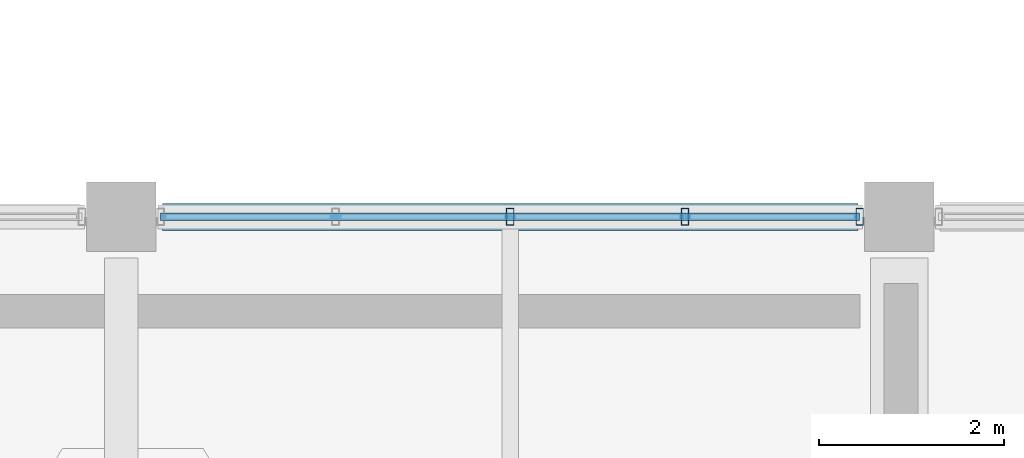
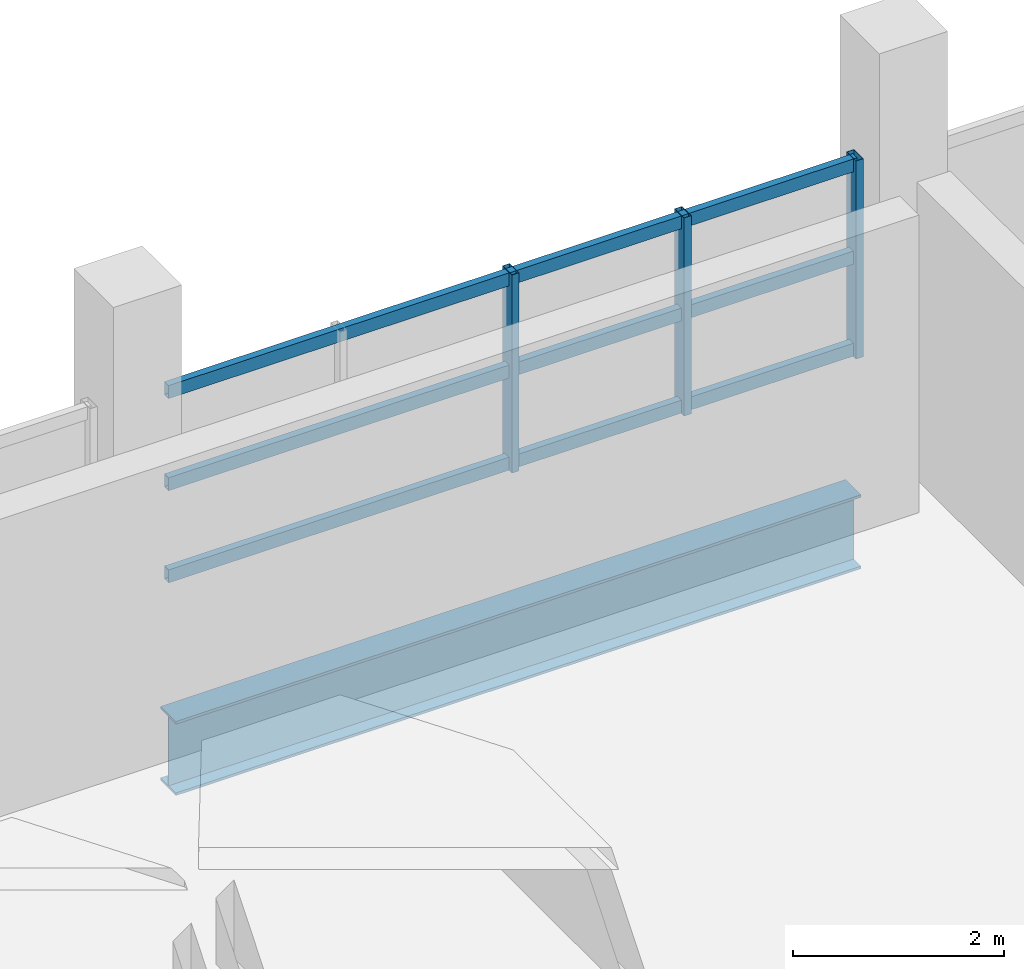
# One storey, part 62 of 117: 6 members, 1 beam, 1 element without a shape of its own.
"""IFC4 building model written with IfcOpenShell, lengths in metres."""

from ifc_helpers import new_model, si_unit, direction, frame, origin, origin_2d, place, context, subcontext, project, spatial, hollow_rectangle, i_section, extrude, material, material_profile, profile_set, type_object, element, aggregate, save


model = new_model("IFC4")

# Units and contexts
model_context = context("Model", 3, precision=1e-05, world=origin(), true_north=direction((0.0, 1.0)))
body_context = subcontext(model_context, "Body", "Model", "MODEL_VIEW")
ifc_project = project(units=[si_unit("LENGTHUNIT", "METRE"), si_unit("AREAUNIT", "SQUARE_METRE"), si_unit("VOLUMEUNIT", "CUBIC_METRE"), si_unit("PLANEANGLEUNIT", "RADIAN"), si_unit("MASSUNIT", "GRAM", prefix="KILO")], contexts=[model_context])

# Site, building, storey
site_placement = place(None, origin())
site = spatial("IfcSite", under=ifc_project, at=site_placement, CompositionType="ELEMENT")
building_placement = place(site_placement, origin())
building = spatial("IfcBuilding", under=site, at=building_placement, Name="Solvento Point Concert Hall", CompositionType="ELEMENT")
storey_placement = place(building_placement, frame((0.0, 0.0, 5.39990234375)))
storey = spatial("IfcBuildingStorey", under=building, at=storey_placement, Name="L01", CompositionType="ELEMENT", Elevation=5.39990234375)

# Beam
ifc_material_1 = material(Name="Structural Steel ASTM A992 Grade 50", Category="steel")
ifc_material_profile_1 = material_profile(ifc_material_1, i_section(OverallWidth=0.2919921875, OverallDepth=0.85888671875, WebThickness=0.01708984375, FlangeThickness=0.031005859375, at=origin_2d()), Name="W33X169")
ifc_profile_set_1 = profile_set([ifc_material_profile_1], Name="Structural Steel ASTM A992 Grade 50")
beam_type = type_object("IfcBeamType", Name="Girder_W33X169", PredefinedType="USERDEFINED", material=ifc_profile_set_1)
beam_placement = place(storey_placement, frame((184.0439453125, 25.5, -0.853515625), z_axis=(1.0, 0.0, 0.0), x_axis=(0.0, 1.0, 0.0)))
element("IfcBeam", 1, at=beam_placement, inside=storey, type_object=beam_type, Name="Primary girder B-33 L01", ObjectType="GIRDER", PredefinedType="USERDEFINED", context=body_context, shape_type="SweptSolid", body=[
    extrude(i_section(OverallWidth=0.2919921875, OverallDepth=0.85888671875, WebThickness=0.01708984375, FlangeThickness=0.031005859375, at=origin_2d()), origin(), (0.0, 0.0, 1.0), 7.511962890625),
])

# Curtain wall, members
ifc_material_2 = material(Name="Anodized Bronze Aluminium", Category="aluminium")
curtain_wall_type = type_object("IfcCurtainWallType", Name="CurtainWall_ChamberCircle", PredefinedType="USERDEFINED", material=ifc_material_2)
curtain_wall_placement = place(storey_placement, origin())
curtain_wall = element("IfcCurtainWall", 2, at=curtain_wall_placement, inside=storey, type_object=curtain_wall_type, Name="Unitised curtain wall CW-32 UCW-L01-080", ObjectType="UNITISED CURTAIN WALL", PredefinedType="USERDEFINED")
ifc_material_3 = material(Name="Anodized Bronze Aluminium", Category="aluminium")
ifc_material_profile_2 = material_profile(ifc_material_3, hollow_rectangle(XDim=0.080078125, YDim=0.179931640625, WallThickness=0.00390625, at=origin_2d()), Name="CW-MUL-80X180")
ifc_profile_set_2 = profile_set([ifc_material_profile_2], Name="Anodized Bronze Aluminium")
member_type_1 = type_object("IfcMemberType", Name="Mullion_80x180", PredefinedType="MULLION", material=ifc_profile_set_2)
member_1_placement = place(storey_placement, frame((187.800048828125, 25.5, 1.1201171875), z_axis=(0.0, 0.0, 1.0), x_axis=(1.0, 0.0, 0.0)))
member_1 = element("IfcMember", 3, at=member_1_placement, type_object=member_type_1, Name="Curtain wall mullion ML-01", PredefinedType="MULLION", context=body_context, shape_type="SweptSolid", body=[
    extrude(hollow_rectangle(XDim=0.080078125, YDim=0.179931640625, WallThickness=0.00390625, at=origin_2d()), origin(), (0.0, 0.0, 1.0), 2.296875),
])
member_2_placement = place(storey_placement, frame((189.6875, 25.5, 1.1201171875), z_axis=(0.0, 0.0, 1.0), x_axis=(1.0, 0.0, 0.0)))
member_2 = element("IfcMember", 4, at=member_2_placement, type_object=member_type_1, Name="Curtain wall mullion ML-01", PredefinedType="MULLION", context=body_context, shape_type="SweptSolid", body=[
    extrude(hollow_rectangle(XDim=0.080078125, YDim=0.179931640625, WallThickness=0.00390625, at=origin_2d()), origin(), (0.0, 0.0, 1.0), 2.296875),
])
member_3_placement = place(storey_placement, frame((191.574951171875, 25.5, 1.1201171875), z_axis=(0.0, 0.0, 1.0), x_axis=(1.0, 0.0, 0.0)))
member_3 = element("IfcMember", 5, at=member_3_placement, type_object=member_type_1, Name="Curtain wall mullion ML-01", PredefinedType="MULLION", context=body_context, shape_type="SweptSolid", body=[
    extrude(hollow_rectangle(XDim=0.080078125, YDim=0.179931640625, WallThickness=0.00390625, at=origin_2d()), origin(), (0.0, 0.0, 1.0), 2.296875),
])
ifc_material_4 = material(Name="Anodized Bronze Aluminium", Category="aluminium")
ifc_material_profile_3 = material_profile(ifc_material_4, hollow_rectangle(XDim=0.080078125, YDim=0.14990234375, WallThickness=0.00390625, at=origin_2d()), Name="CW-TRN-80X150")
ifc_profile_set_3 = profile_set([ifc_material_profile_3], Name="Anodized Bronze Aluminium")
member_type_2 = type_object("IfcMemberType", Name="Transom_80x150", PredefinedType="USERDEFINED", material=ifc_profile_set_3)
member_4_placement = place(storey_placement, frame((184.02490234375, 25.5, 1.2001953125), z_axis=(1.0, 0.0, 0.0), x_axis=(0.0, 1.0, 0.0)))
member_4 = element("IfcMember", 6, at=member_4_placement, type_object=member_type_2, Name="Curtain wall transom TR-01", ObjectType="TRANSOM", PredefinedType="USERDEFINED", context=body_context, shape_type="SweptSolid", body=[
    extrude(hollow_rectangle(XDim=0.080078125, YDim=0.14990234375, WallThickness=0.00390625, at=origin_2d()), origin(), (0.0, 0.0, 1.0), 7.550048828125),
])
member_5_placement = place(storey_placement, frame((184.02490234375, 25.5, 2.2685546875), z_axis=(1.0, 0.0, 0.0), x_axis=(0.0, 1.0, 0.0)))
member_5 = element("IfcMember", 7, at=member_5_placement, type_object=member_type_2, Name="Curtain wall transom TR-01", ObjectType="TRANSOM", PredefinedType="USERDEFINED", context=body_context, shape_type="SweptSolid", body=[
    extrude(hollow_rectangle(XDim=0.080078125, YDim=0.14990234375, WallThickness=0.00390625, at=origin_2d()), origin(), (0.0, 0.0, 1.0), 7.550048828125),
])
member_6_placement = place(storey_placement, frame((184.02490234375, 25.5, 3.337158203125), z_axis=(1.0, 0.0, 0.0), x_axis=(0.0, 1.0, 0.0)))
member_6 = element("IfcMember", 8, at=member_6_placement, type_object=member_type_2, Name="Curtain wall transom TR-01", ObjectType="TRANSOM", PredefinedType="USERDEFINED", context=body_context, shape_type="SweptSolid", body=[
    extrude(hollow_rectangle(XDim=0.080078125, YDim=0.14990234375, WallThickness=0.00390625, at=origin_2d()), origin(), (0.0, 0.0, 1.0), 7.550048828125),
])
aggregate(curtain_wall, [member_1, member_2, member_3, member_4, member_5, member_6])

save(model, "model.ifc")
